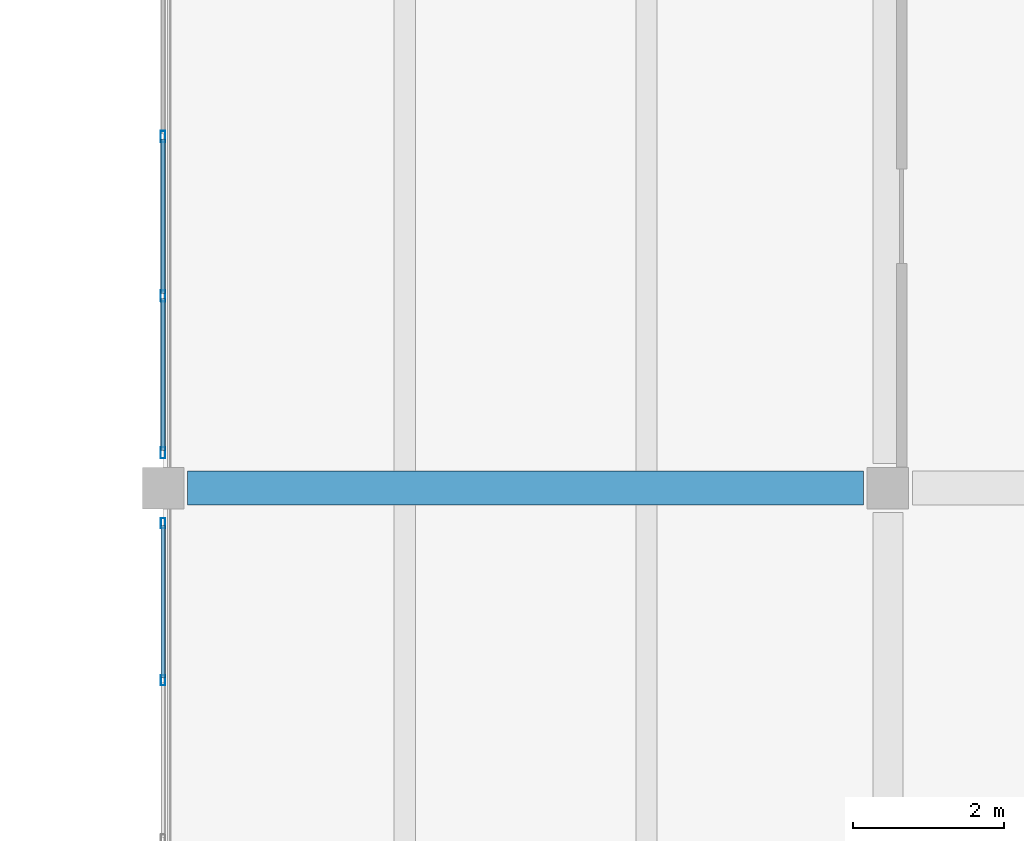
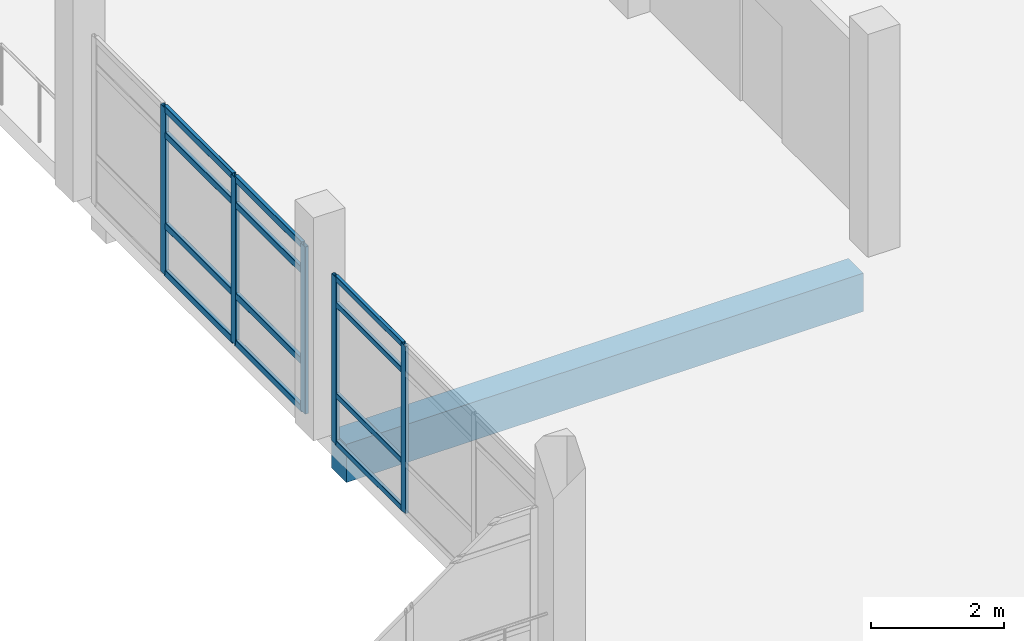
# One storey, part 31 of 72: 17 members, 1 beam, 2 elements without a shape of their own.
"""IFC4 building model written with IfcOpenShell, lengths in metres."""

from ifc_helpers import new_model, si_unit, direction, frame, origin, origin_2d, place, context, subcontext, project, spatial, rectangle, hollow_rectangle, extrude, material, layer, layer_set, material_profile, profile_set, type_object, element, aggregate, save


model = new_model("IFC4")

# Units and contexts
model_context = context("Model", 3, precision=1e-05, world=origin(), true_north=direction((0.0, 1.0)))
body_context = subcontext(model_context, "Body", "Model", "MODEL_VIEW")
ifc_project = project(units=[si_unit("LENGTHUNIT", "METRE"), si_unit("AREAUNIT", "SQUARE_METRE"), si_unit("VOLUMEUNIT", "CUBIC_METRE"), si_unit("PLANEANGLEUNIT", "RADIAN"), si_unit("MASSUNIT", "GRAM", prefix="KILO")], contexts=[model_context])

# Site, building, storey
site_placement = place(None, origin())
site = spatial("IfcSite", under=ifc_project, at=site_placement, CompositionType="ELEMENT")
building_placement = place(site_placement, origin())
building = spatial("IfcBuilding", under=site, at=building_placement, Name="Asteropetra Specialist Clinic", CompositionType="ELEMENT")
storey_placement = place(building_placement, frame((0.0, 0.0, 12.580078125)))
storey = spatial("IfcBuildingStorey", under=building, at=storey_placement, Name="L03", CompositionType="ELEMENT", Elevation=12.580078125)

# Beam
ifc_material_1 = material(Name="Concrete C35/45", Category="concrete")
ifc_material_profile_1 = material_profile(ifc_material_1, rectangle(XDim=0.449951171875, YDim=0.699951171875, at=origin_2d()), Name="RCB 450x700")
ifc_profile_set_1 = profile_set([ifc_material_profile_1], Name="Concrete C35/45")
beam_type = type_object("IfcBeamType", Name="BM-RC450x700", PredefinedType="BEAM", material=ifc_profile_set_1)
beam_placement = place(storey_placement, frame((134.72509765625, 26.39990234375, -0.650146484375), z_axis=(1.0, 0.0, 0.0), x_axis=(0.0, 1.0, 0.0)))
element("IfcBeam", 1, at=beam_placement, inside=storey, type_object=beam_type, Name="Beam BBM05-1459", PredefinedType="BEAM", context=body_context, shape_type="SweptSolid", body=[
    extrude(rectangle(XDim=0.449951171875, YDim=0.699951171875, at=origin_2d()), origin(), (0.0, 0.0, 1.0), 8.949951171875),
])

# Curtain wall, members
ifc_material_2 = material(Name="Aluminium and low-E glass", Category="aluminium")
ifc_layer_1 = layer(ifc_material_2, 0.14990234375)
ifc_layer_set_1 = layer_set([ifc_layer_1], Name="Aluminium and low-E glass")
curtain_wall_type_1 = type_object("IfcCurtainWallType", Name="CW-SYS-11", PredefinedType="USERDEFINED", material=ifc_layer_set_1)
curtain_wall_1_placement = place(storey_placement, origin())
curtain_wall_1 = element("IfcCurtainWall", 2, at=curtain_wall_1_placement, inside=storey, type_object=curtain_wall_type_1, Name="Curtain Wall CW-086", ObjectType="STICK GLAZED COLONNADE", PredefinedType="USERDEFINED")
ifc_material_3 = material(Name="Aluminium 6063-T6", Category="aluminium")
ifc_material_profile_2 = material_profile(ifc_material_3, hollow_rectangle(XDim=0.06005859375, YDim=0.135009765625, WallThickness=0.00341796875, InnerFilletRadius=0.00341796875, OuterFilletRadius=0.007080078125, at=origin_2d()), Name="MUL 135x60x3.5")
ifc_profile_set_2 = profile_set([ifc_material_profile_2], Name="Aluminium 6063-T6")
member_type_1 = type_object("IfcMemberType", Name="CWM-135x60", PredefinedType="MULLION", material=ifc_profile_set_2)
member_1_placement = place(storey_placement, frame((134.39990234375, 23.85498046875, 0.0), z_axis=(0.0, 0.0, 1.0), x_axis=(-1.0, 0.0, 0.0)))
member_1 = element("IfcMember", 3, at=member_1_placement, type_object=member_type_1, Name="CW-086 mullion 3", PredefinedType="MULLION", context=body_context, shape_type="SweptSolid", body=[
    extrude(hollow_rectangle(XDim=0.06005859375, YDim=0.135009765625, WallThickness=0.00341796875, InnerFilletRadius=0.00341796875, OuterFilletRadius=0.007080078125, at=origin_2d()), origin(), (0.0, 0.0, 1.0), 3.059814453125),
])
member_2_placement = place(storey_placement, frame((134.39990234375, 25.93505859375, 0.0), z_axis=(0.0, 0.0, 1.0), x_axis=(-1.0, 0.0, 0.0)))
member_2 = element("IfcMember", 4, at=member_2_placement, type_object=member_type_1, Name="CW-086 mullion 4", PredefinedType="MULLION", context=body_context, shape_type="SweptSolid", body=[
    extrude(hollow_rectangle(XDim=0.06005859375, YDim=0.135009765625, WallThickness=0.00341796875, InnerFilletRadius=0.00341796875, OuterFilletRadius=0.007080078125, at=origin_2d()), origin(), (0.0, 0.0, 1.0), 3.059814453125),
])

ifc_material_4 = material(Name="Aluminium and low-E glass", Category="aluminium")
ifc_layer_2 = layer(ifc_material_4, 0.135009765625)
ifc_layer_set_2 = layer_set([ifc_layer_2], Name="Aluminium and low-E glass")
curtain_wall_type_2 = type_object("IfcCurtainWallType", Name="CW-SYS-12", PredefinedType="USERDEFINED", material=ifc_layer_set_2)
curtain_wall_2_placement = place(storey_placement, origin())
curtain_wall_2 = element("IfcCurtainWall", 5, at=curtain_wall_2_placement, inside=storey, type_object=curtain_wall_type_2, Name="Curtain Wall CW-088", ObjectType="STICK GLAZED COLONNADE", PredefinedType="USERDEFINED")
ifc_material_5 = material(Name="Aluminium 6063-T6", Category="aluminium")
ifc_material_profile_3 = material_profile(ifc_material_5, hollow_rectangle(XDim=0.06494140625, YDim=0.14990234375, WallThickness=0.00390625, InnerFilletRadius=0.00390625, OuterFilletRadius=0.008056640625, at=origin_2d()), Name="MUL 150x65x4.0")
ifc_profile_set_3 = profile_set([ifc_material_profile_3], Name="Aluminium 6063-T6")
member_type_2 = type_object("IfcMemberType", Name="CWM-150x65", PredefinedType="MULLION", material=ifc_profile_set_3)
member_3_placement = place(storey_placement, frame((134.39990234375, 26.867431640625, 0.0), z_axis=(0.0, 0.0, 1.0), x_axis=(-1.0, 0.0, 0.0)))
member_3 = element("IfcMember", 6, at=member_3_placement, type_object=member_type_2, Name="CW-088 mullion 1", PredefinedType="MULLION", context=body_context, shape_type="SweptSolid", body=[
    extrude(hollow_rectangle(XDim=0.06494140625, YDim=0.14990234375, WallThickness=0.00390625, InnerFilletRadius=0.00390625, OuterFilletRadius=0.008056640625, at=origin_2d()), origin(), (0.0, 0.0, 1.0), 3.059814453125),
])
member_4_placement = place(storey_placement, frame((134.39990234375, 28.945068359375, 0.0), z_axis=(0.0, 0.0, 1.0), x_axis=(-1.0, 0.0, 0.0)))
member_4 = element("IfcMember", 7, at=member_4_placement, type_object=member_type_2, Name="CW-088 mullion 2", PredefinedType="MULLION", context=body_context, shape_type="SweptSolid", body=[
    extrude(hollow_rectangle(XDim=0.06494140625, YDim=0.14990234375, WallThickness=0.00390625, InnerFilletRadius=0.00390625, OuterFilletRadius=0.008056640625, at=origin_2d()), origin(), (0.0, 0.0, 1.0), 3.059814453125),
])
member_5_placement = place(storey_placement, frame((134.39990234375, 31.054931640625, 0.0), z_axis=(0.0, 0.0, 1.0), x_axis=(-1.0, 0.0, 0.0)))
member_5 = element("IfcMember", 8, at=member_5_placement, type_object=member_type_2, Name="CW-088 mullion 3", PredefinedType="MULLION", context=body_context, shape_type="SweptSolid", body=[
    extrude(hollow_rectangle(XDim=0.06494140625, YDim=0.14990234375, WallThickness=0.00390625, InnerFilletRadius=0.00390625, OuterFilletRadius=0.008056640625, at=origin_2d()), origin(), (0.0, 0.0, 1.0), 3.059814453125),
])

# Member
ifc_material_6 = material(Name="Aluminium 6063-T6", Category="aluminium")
ifc_material_profile_4 = material_profile(ifc_material_6, hollow_rectangle(XDim=0.06005859375, YDim=0.10009765625, WallThickness=0.00341796875, InnerFilletRadius=0.00341796875, OuterFilletRadius=0.007080078125, at=origin_2d()), Name="TRN 100x60x3.5")
ifc_profile_set_4 = profile_set([ifc_material_profile_4], Name="Aluminium 6063-T6")
member_type_3 = type_object("IfcMemberType", Name="CWT-100x60", PredefinedType="USERDEFINED", material=ifc_profile_set_4)
member_6_placement = place(storey_placement, frame((134.39990234375, 23.885009765625, 0.030029296875), z_axis=(0.0, 1.0, 0.0), x_axis=(-1.0, 0.0, 0.0)))
member_6 = element("IfcMember", 9, at=member_6_placement, type_object=member_type_3, Name="CW-086 transom 3.1", ObjectType="TRANSOM", PredefinedType="USERDEFINED", context=body_context, shape_type="SweptSolid", body=[
    extrude(hollow_rectangle(XDim=0.06005859375, YDim=0.10009765625, WallThickness=0.00341796875, InnerFilletRadius=0.00341796875, OuterFilletRadius=0.007080078125, at=origin_2d()), origin(), (0.0, 0.0, 1.0), 2.02001953125),
])

member_7_placement = place(storey_placement, frame((134.39990234375, 23.885009765625, 0.89990234375), z_axis=(0.0, 1.0, 0.0), x_axis=(-1.0, 0.0, 0.0)))
member_7 = element("IfcMember", 10, at=member_7_placement, type_object=member_type_3, Name="CW-086 transom 3.2", ObjectType="TRANSOM", PredefinedType="USERDEFINED", context=body_context, shape_type="SweptSolid", body=[
    extrude(hollow_rectangle(XDim=0.06005859375, YDim=0.10009765625, WallThickness=0.00341796875, InnerFilletRadius=0.00341796875, OuterFilletRadius=0.007080078125, at=origin_2d()), origin(), (0.0, 0.0, 1.0), 2.02001953125),
])

member_8_placement = place(storey_placement, frame((134.39990234375, 23.885009765625, 2.559814453125), z_axis=(0.0, 1.0, 0.0), x_axis=(-1.0, 0.0, 0.0)))
member_8 = element("IfcMember", 11, at=member_8_placement, type_object=member_type_3, Name="CW-086 transom 3.3", ObjectType="TRANSOM", PredefinedType="USERDEFINED", context=body_context, shape_type="SweptSolid", body=[
    extrude(hollow_rectangle(XDim=0.06005859375, YDim=0.10009765625, WallThickness=0.00341796875, InnerFilletRadius=0.00341796875, OuterFilletRadius=0.007080078125, at=origin_2d()), origin(), (0.0, 0.0, 1.0), 2.02001953125),
])

member_9_placement = place(storey_placement, frame((134.39990234375, 23.885009765625, 3.030029296875), z_axis=(0.0, 1.0, 0.0), x_axis=(-1.0, 0.0, 0.0)))
member_9 = element("IfcMember", 12, at=member_9_placement, type_object=member_type_3, Name="CW-086 transom 3.4", ObjectType="TRANSOM", PredefinedType="USERDEFINED", context=body_context, shape_type="SweptSolid", body=[
    extrude(hollow_rectangle(XDim=0.06005859375, YDim=0.10009765625, WallThickness=0.00341796875, InnerFilletRadius=0.00341796875, OuterFilletRadius=0.007080078125, at=origin_2d()), origin(), (0.0, 0.0, 1.0), 2.02001953125),
])

aggregate(curtain_wall_1, [member_1, member_2, member_6, member_7, member_8, member_9])

ifc_material_7 = material(Name="Aluminium 6063-T6", Category="aluminium")
ifc_material_profile_5 = material_profile(ifc_material_7, hollow_rectangle(XDim=0.06494140625, YDim=0.1201171875, WallThickness=0.00390625, InnerFilletRadius=0.00390625, OuterFilletRadius=0.008056640625, at=origin_2d()), Name="TRN 120x65x4.0")
ifc_profile_set_5 = profile_set([ifc_material_profile_5], Name="Aluminium 6063-T6")
member_type_4 = type_object("IfcMemberType", Name="CWT-120x65", PredefinedType="USERDEFINED", material=ifc_profile_set_5)
member_10_placement = place(storey_placement, frame((134.39990234375, 26.89990234375, 0.032470703125), z_axis=(0.0, 1.0, 0.0), x_axis=(-1.0, 0.0, 0.0)))
member_10 = element("IfcMember", 13, at=member_10_placement, type_object=member_type_4, Name="CW-088 transom 1.1", ObjectType="TRANSOM", PredefinedType="USERDEFINED", context=body_context, shape_type="SweptSolid", body=[
    extrude(hollow_rectangle(XDim=0.06494140625, YDim=0.1201171875, WallThickness=0.00390625, InnerFilletRadius=0.00390625, OuterFilletRadius=0.008056640625, at=origin_2d()), origin(), (0.0, 0.0, 1.0), 2.0126953125),
])

member_11_placement = place(storey_placement, frame((134.39990234375, 26.89990234375, 0.89990234375), z_axis=(0.0, 1.0, 0.0), x_axis=(-1.0, 0.0, 0.0)))
member_11 = element("IfcMember", 14, at=member_11_placement, type_object=member_type_4, Name="CW-088 transom 1.2", ObjectType="TRANSOM", PredefinedType="USERDEFINED", context=body_context, shape_type="SweptSolid", body=[
    extrude(hollow_rectangle(XDim=0.06494140625, YDim=0.1201171875, WallThickness=0.00390625, InnerFilletRadius=0.00390625, OuterFilletRadius=0.008056640625, at=origin_2d()), origin(), (0.0, 0.0, 1.0), 2.0126953125),
])

member_12_placement = place(storey_placement, frame((134.39990234375, 26.89990234375, 2.559814453125), z_axis=(0.0, 1.0, 0.0), x_axis=(-1.0, 0.0, 0.0)))
member_12 = element("IfcMember", 15, at=member_12_placement, type_object=member_type_4, Name="CW-088 transom 1.3", ObjectType="TRANSOM", PredefinedType="USERDEFINED", context=body_context, shape_type="SweptSolid", body=[
    extrude(hollow_rectangle(XDim=0.06494140625, YDim=0.1201171875, WallThickness=0.00390625, InnerFilletRadius=0.00390625, OuterFilletRadius=0.008056640625, at=origin_2d()), origin(), (0.0, 0.0, 1.0), 2.0126953125),
])

member_13_placement = place(storey_placement, frame((134.39990234375, 26.89990234375, 3.02734375), z_axis=(0.0, 1.0, 0.0), x_axis=(-1.0, 0.0, 0.0)))
member_13 = element("IfcMember", 16, at=member_13_placement, type_object=member_type_4, Name="CW-088 transom 1.4", ObjectType="TRANSOM", PredefinedType="USERDEFINED", context=body_context, shape_type="SweptSolid", body=[
    extrude(hollow_rectangle(XDim=0.06494140625, YDim=0.1201171875, WallThickness=0.00390625, InnerFilletRadius=0.00390625, OuterFilletRadius=0.008056640625, at=origin_2d()), origin(), (0.0, 0.0, 1.0), 2.0126953125),
])

member_14_placement = place(storey_placement, frame((134.39990234375, 28.9775390625, 0.032470703125), z_axis=(0.0, 1.0, 0.0), x_axis=(-1.0, 0.0, 0.0)))
member_14 = element("IfcMember", 17, at=member_14_placement, type_object=member_type_4, Name="CW-088 transom 2.1", ObjectType="TRANSOM", PredefinedType="USERDEFINED", context=body_context, shape_type="SweptSolid", body=[
    extrude(hollow_rectangle(XDim=0.06494140625, YDim=0.1201171875, WallThickness=0.00390625, InnerFilletRadius=0.00390625, OuterFilletRadius=0.008056640625, at=origin_2d()), origin(), (0.0, 0.0, 1.0), 2.044921875),
])

member_15_placement = place(storey_placement, frame((134.39990234375, 28.9775390625, 0.89990234375), z_axis=(0.0, 1.0, 0.0), x_axis=(-1.0, 0.0, 0.0)))
member_15 = element("IfcMember", 18, at=member_15_placement, type_object=member_type_4, Name="CW-088 transom 2.2", ObjectType="TRANSOM", PredefinedType="USERDEFINED", context=body_context, shape_type="SweptSolid", body=[
    extrude(hollow_rectangle(XDim=0.06494140625, YDim=0.1201171875, WallThickness=0.00390625, InnerFilletRadius=0.00390625, OuterFilletRadius=0.008056640625, at=origin_2d()), origin(), (0.0, 0.0, 1.0), 2.044921875),
])

member_16_placement = place(storey_placement, frame((134.39990234375, 28.9775390625, 2.559814453125), z_axis=(0.0, 1.0, 0.0), x_axis=(-1.0, 0.0, 0.0)))
member_16 = element("IfcMember", 19, at=member_16_placement, type_object=member_type_4, Name="CW-088 transom 2.3", ObjectType="TRANSOM", PredefinedType="USERDEFINED", context=body_context, shape_type="SweptSolid", body=[
    extrude(hollow_rectangle(XDim=0.06494140625, YDim=0.1201171875, WallThickness=0.00390625, InnerFilletRadius=0.00390625, OuterFilletRadius=0.008056640625, at=origin_2d()), origin(), (0.0, 0.0, 1.0), 2.044921875),
])

member_17_placement = place(storey_placement, frame((134.39990234375, 28.9775390625, 3.02734375), z_axis=(0.0, 1.0, 0.0), x_axis=(-1.0, 0.0, 0.0)))
member_17 = element("IfcMember", 20, at=member_17_placement, type_object=member_type_4, Name="CW-088 transom 2.4", ObjectType="TRANSOM", PredefinedType="USERDEFINED", context=body_context, shape_type="SweptSolid", body=[
    extrude(hollow_rectangle(XDim=0.06494140625, YDim=0.1201171875, WallThickness=0.00390625, InnerFilletRadius=0.00390625, OuterFilletRadius=0.008056640625, at=origin_2d()), origin(), (0.0, 0.0, 1.0), 2.044921875),
])

aggregate(curtain_wall_2, [member_3, member_4, member_5, member_10, member_11, member_12, member_13, member_14, member_15, member_16, member_17])

save(model, "model.ifc")
